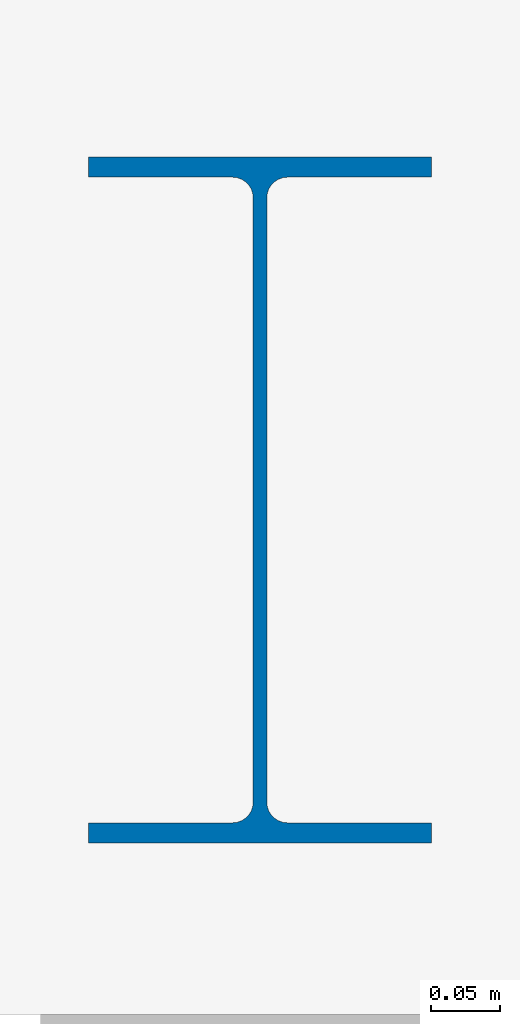
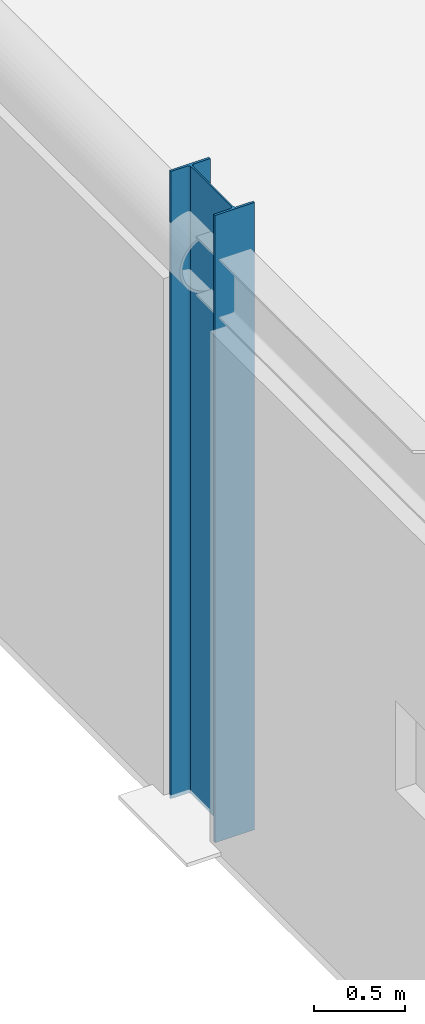
# One storey, part 11 of 116: 1 column.
"""IFC4 building model written with IfcOpenShell, lengths in metres."""

from ifc_helpers import new_model, si_unit, direction, frame, origin, origin_2d, place, context, subcontext, project, spatial, i_section, extrude, material, material_profile, profile_set, type_object, element, save


model = new_model("IFC4")

# Units and contexts
model_context = context("Model", 3, precision=1e-05, world=origin(), true_north=direction((0.0, 1.0)))
body_context = subcontext(model_context, "Body", "Model", "MODEL_VIEW")
ifc_project = project(units=[si_unit("LENGTHUNIT", "METRE"), si_unit("AREAUNIT", "SQUARE_METRE"), si_unit("VOLUMEUNIT", "CUBIC_METRE"), si_unit("PLANEANGLEUNIT", "RADIAN"), si_unit("MASSUNIT", "GRAM", prefix="KILO")], contexts=[model_context])

# Site, building, storey
site_placement = place(None, origin())
site = spatial("IfcSite", under=ifc_project, at=site_placement, CompositionType="ELEMENT")
building_placement = place(site_placement, origin())
building = spatial("IfcBuilding", under=site, at=building_placement, Name="Varnakota Square Police Headquarters", CompositionType="ELEMENT")
storey_placement = place(building_placement, frame((0.0, 0.0, 9.300048828125)))
storey = spatial("IfcBuildingStorey", under=building, at=storey_placement, Name="L02", CompositionType="ELEMENT", Elevation=9.300048828125)

# Column
ifc_material = material(Name="Steel IS 2062 Grade 350", Category="steel")
ifc_material_profile = material_profile(ifc_material, i_section(OverallWidth=0.25, OverallDepth=0.5, WebThickness=0.010009765625, FlangeThickness=0.0146484375, FilletRadius=0.014892578125, at=origin_2d()), Name="ISWB 500")
ifc_profile_set = profile_set([ifc_material_profile], Name="Steel IS 2062 Grade 350")
column_type = type_object("IfcColumnType", Name="COL-ISWB500", PredefinedType="COLUMN", material=ifc_profile_set)
column_placement = place(storey_placement, frame((6.0, 93.0, 0.0), z_axis=(0.0, 0.0, 1.0), x_axis=(1.0, 0.0, 0.0)))
element("IfcColumn", 1, at=column_placement, inside=storey, type_object=column_type, Name="Column X0060-Y0930 L02", PredefinedType="COLUMN", context=body_context, shape_type="SweptSolid", body=[
    extrude(i_section(OverallWidth=0.25, OverallDepth=0.5, WebThickness=0.010009765625, FlangeThickness=0.0146484375, FilletRadius=0.014892578125, at=origin_2d()), origin(), (0.0, 0.0, 1.0), 4.199951171875),
])

save(model, "model.ifc")
